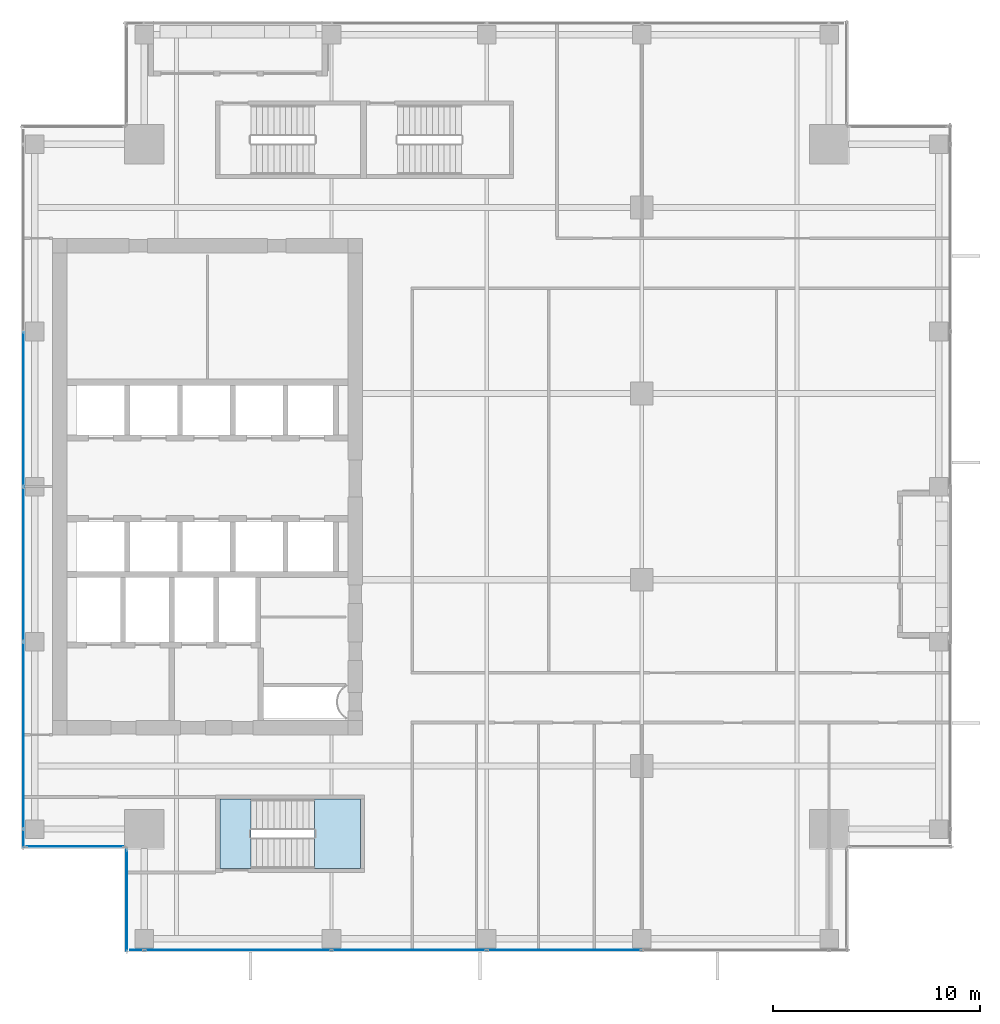
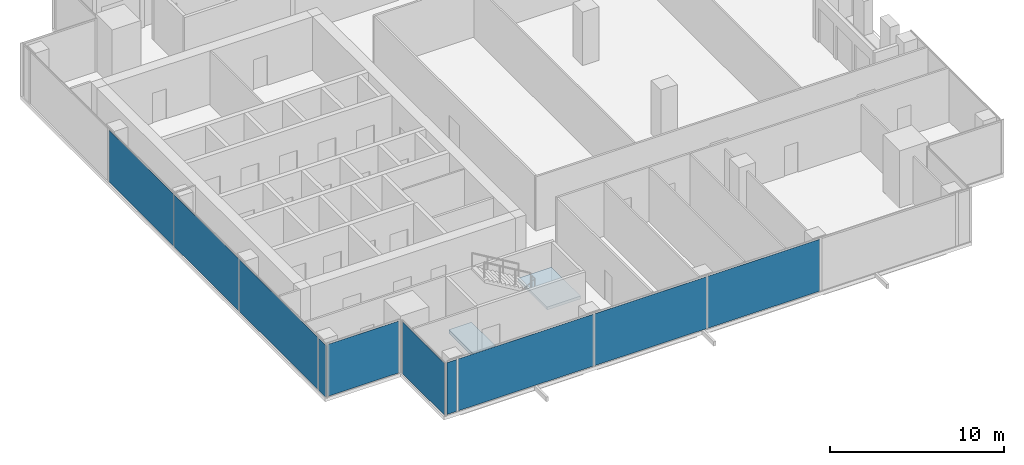
# One storey, part 26 of 36: 10 plates, 2 slabs, 5 elements without a shape of their own.
"""IFC4 building model written with IfcOpenShell, lengths in metres."""

from ifc_helpers import new_model, si_unit, direction, frame, origin, origin_2d, place, context, subcontext, project, spatial, polyline, rectangle, outline, extrude, source, transform, mapped, material, layer, layer_set, type_object, element, aggregate, save


model = new_model("IFC4")

# Units and contexts
model_context = context("Model", 3, precision=1e-05, world=origin(), true_north=direction((0.0, 1.0)))
body_context = subcontext(model_context, "Body", "Model", "MODEL_VIEW")
ifc_project = project(units=[si_unit("LENGTHUNIT", "METRE"), si_unit("AREAUNIT", "SQUARE_METRE"), si_unit("VOLUMEUNIT", "CUBIC_METRE"), si_unit("PLANEANGLEUNIT", "RADIAN"), si_unit("MASSUNIT", "GRAM", prefix="KILO")], contexts=[model_context])

# Site, building, storey
site_placement = place(None, origin())
site = spatial("IfcSite", under=ifc_project, at=site_placement, CompositionType="ELEMENT")
building_placement = place(site_placement, origin())
building = spatial("IfcBuilding", under=site, at=building_placement, Name="Khomas Fold Tower", CompositionType="ELEMENT")
storey_placement = place(building_placement, frame((0.0, 0.0, 230.199951171875)))
storey = spatial("IfcBuildingStorey", under=building, at=storey_placement, Name="L51", CompositionType="ELEMENT", Elevation=230.199951171875)

# Curtain wall, plates
ifc_material_1 = material(Name="Aluminium framed double glazing", Category="aluminium")
curtain_wall_type = type_object("IfcCurtainWallType", Name="SK-Unitised clear-glass wall, office floors CW2", PredefinedType="NOTDEFINED", material=ifc_material_1)
curtain_wall_1_placement = place(storey_placement, origin())
curtain_wall_1 = element("IfcCurtainWall", 1, at=curtain_wall_1_placement, inside=storey, type_object=curtain_wall_type, Name="CW2 run L51 00-0", PredefinedType="NOTDEFINED")
ifc_material_2 = material(Name="Clear double glazed unit")
ifc_layer_1 = layer(ifc_material_2, 0.030029296875)
ifc_layer_set_1 = layer_set([ifc_layer_1], Name="Clear double glazed unit")
plate_type = type_object("IfcPlateType", Name="SK-Unitised clear-glass wall, office floors glass panel CW2-P", PredefinedType="CURTAIN_PANEL", material=ifc_layer_set_1)
shared_shape_1 = source(origin(), body_context, "Body", "SweptSolid", [
    extrude(rectangle(XDim=0.659912109375, YDim=0.030029296875, at=origin_2d()), origin(), (0.0, 0.0, 1.0), 3.639892578125),
])
plate_1_placement = place(storey_placement, frame((10.090087890625, 4.60009765625, 0.0), z_axis=(0.0, 0.0, 1.0), x_axis=(1.0, 0.0, 0.0)))
plate_1 = element("IfcPlate", 2, at=plate_1_placement, type_object=plate_type, Name="CW2 glass panel 1", PredefinedType="CURTAIN_PANEL", context=body_context, shape_type="MappedRepresentation", body=[
    mapped(shared_shape_1, transform((0.0, 0.0, 0.0))),
])
shared_shape_2 = source(origin(), body_context, "Body", "SweptSolid", [
    extrude(rectangle(XDim=7.43994140625, YDim=0.030029296875, at=origin_2d()), origin(), (0.0, 0.0, 1.0), 3.639892578125),
])
plate_2_placement = place(storey_placement, frame((23.25, 4.60009765625, 0.0), z_axis=(0.0, 0.0, 1.0), x_axis=(1.0, 0.0, 0.0)))
plate_2 = element("IfcPlate", 3, at=plate_2_placement, type_object=plate_type, Name="CW2 glass panel 3", PredefinedType="CURTAIN_PANEL", context=body_context, shape_type="MappedRepresentation", body=[
    mapped(shared_shape_2, transform((0.0, 0.0, 0.0))),
])
plate_3_placement = place(storey_placement, frame((30.75, 4.60009765625, 0.0), z_axis=(0.0, 0.0, 1.0), x_axis=(1.0, 0.0, 0.0)))
plate_3 = element("IfcPlate", 4, at=plate_3_placement, type_object=plate_type, Name="CW2 glass panel 4", PredefinedType="CURTAIN_PANEL", context=body_context, shape_type="MappedRepresentation", body=[
    mapped(shared_shape_2, transform((0.0, 0.0, 0.0))),
])

curtain_wall_2_placement = place(storey_placement, origin())
curtain_wall_2 = element("IfcCurtainWall", 5, at=curtain_wall_2_placement, inside=storey, type_object=curtain_wall_type, Name="CW2 run L51 09-0", PredefinedType="NOTDEFINED")
plate_4_placement = place(storey_placement, frame((4.60009765625, 30.75, 0.0), z_axis=(0.0, 0.0, 1.0), x_axis=(0.0, -1.0, 0.0)))
plate_4 = element("IfcPlate", 6, at=plate_4_placement, type_object=plate_type, Name="CW2 glass panel 3", PredefinedType="CURTAIN_PANEL", context=body_context, shape_type="MappedRepresentation", body=[
    mapped(shared_shape_2, transform((0.0, 0.0, 0.0))),
])
plate_5_placement = place(storey_placement, frame((4.60009765625, 23.25, 0.0), z_axis=(0.0, 0.0, 1.0), x_axis=(0.0, -1.0, 0.0)))
plate_5 = element("IfcPlate", 7, at=plate_5_placement, type_object=plate_type, Name="CW2 glass panel 4", PredefinedType="CURTAIN_PANEL", context=body_context, shape_type="MappedRepresentation", body=[
    mapped(shared_shape_2, transform((0.0, 0.0, 0.0))),
])
shared_shape_3 = source(origin(), body_context, "Body", "SweptSolid", [
    extrude(rectangle(XDim=0.860107421875, YDim=0.030029296875, at=origin_2d()), origin(), (0.0, 0.0, 1.0), 3.639892578125),
])
plate_6_placement = place(storey_placement, frame((4.60009765625, 9.989990234375, 0.0), z_axis=(0.0, 0.0, 1.0), x_axis=(0.0, -1.0, 0.0)))
plate_6 = element("IfcPlate", 8, at=plate_6_placement, type_object=plate_type, Name="CW2 glass panel 6", PredefinedType="CURTAIN_PANEL", context=body_context, shape_type="MappedRepresentation", body=[
    mapped(shared_shape_3, transform((0.0, 0.0, 0.0))),
])

# Plate
shared_shape_4 = source(origin(), body_context, "Body", "SweptSolid", [
    extrude(rectangle(XDim=8.989990234375, YDim=0.030029296875, at=origin_2d()), origin(), (0.0, 0.0, 1.0), 3.639892578125),
])
plate_7_placement = place(storey_placement, frame((14.97509765625, 4.60009765625, 0.0), z_axis=(0.0, 0.0, 1.0), x_axis=(1.0, 0.0, 0.0)))
plate_7 = element("IfcPlate", 9, at=plate_7_placement, type_object=plate_type, Name="CW2 glass panel 2", PredefinedType="CURTAIN_PANEL", context=body_context, shape_type="MappedRepresentation", body=[
    mapped(shared_shape_4, transform((0.0, 0.0, 0.0))),
])

aggregate(curtain_wall_1, [plate_1, plate_7, plate_2, plate_3])

plate_8_placement = place(storey_placement, frame((4.60009765625, 14.97509765625, 0.0), z_axis=(0.0, 0.0, 1.0), x_axis=(0.0, -1.0, 0.0)))
plate_8 = element("IfcPlate", 10, at=plate_8_placement, type_object=plate_type, Name="CW2 glass panel 5", PredefinedType="CURTAIN_PANEL", context=body_context, shape_type="MappedRepresentation", body=[
    mapped(shared_shape_4, transform((0.0, 0.0, 0.0))),
])

aggregate(curtain_wall_2, [plate_4, plate_5, plate_8, plate_6])

# Curtain wall, plate
curtain_wall_3_placement = place(storey_placement, origin())
curtain_wall_3 = element("IfcCurtainWall", 11, at=curtain_wall_3_placement, inside=storey, type_object=curtain_wall_type, Name="CW2 corner return L51 10", PredefinedType="NOTDEFINED")
shared_shape_5 = source(origin(), body_context, "Body", "SweptSolid", [
    extrude(rectangle(XDim=4.679931640625, YDim=0.030029296875, at=origin_2d()), origin(), (0.0, 0.0, 1.0), 3.639892578125),
])
plate_9_placement = place(storey_placement, frame((7.10009765625, 9.60009765625, 0.0), z_axis=(0.0, 0.0, 1.0), x_axis=(1.0, 0.0, 0.0)))
plate_9 = element("IfcPlate", 12, at=plate_9_placement, type_object=plate_type, Name="CW2 glass panel 1", PredefinedType="CURTAIN_PANEL", context=body_context, shape_type="MappedRepresentation", body=[
    mapped(shared_shape_5, transform((0.0, 0.0, 0.0))),
])
aggregate(curtain_wall_3, [plate_9])

curtain_wall_4_placement = place(storey_placement, origin())
curtain_wall_4 = element("IfcCurtainWall", 13, at=curtain_wall_4_placement, inside=storey, type_object=curtain_wall_type, Name="CW2 corner return L51 11", PredefinedType="NOTDEFINED")
shared_shape_6 = source(origin(), body_context, "Body", "SweptSolid", [
    extrude(rectangle(XDim=4.8798828125, YDim=0.030029296875, at=origin_2d()), origin(), (0.0, 0.0, 1.0), 3.639892578125),
])
plate_10_placement = place(storey_placement, frame((9.60009765625, 7.0, 0.0), z_axis=(0.0, 0.0, 1.0), x_axis=(0.0, -1.0, 0.0)))
plate_10 = element("IfcPlate", 14, at=plate_10_placement, type_object=plate_type, Name="CW2 glass panel 1", PredefinedType="CURTAIN_PANEL", context=body_context, shape_type="MappedRepresentation", body=[
    mapped(shared_shape_6, transform((0.0, 0.0, 0.0))),
])
aggregate(curtain_wall_4, [plate_10])

# Stair, slab
ifc_material_3 = material(Name="Concrete C40/50", Category="concrete")
stair_type = type_object("IfcStairType", Name="Stair ST2", PredefinedType="HALF_TURN_STAIR", material=ifc_material_3)
stair_placement = place(storey_placement, origin())
stair = element("IfcStair", 15, at=stair_placement, inside=storey, type_object=stair_type, Name="L51 ST2", PredefinedType="HALF_TURN_STAIR")
ifc_material_4 = material(Name="Concrete C40/50", Category="concrete")
ifc_layer_2 = layer(ifc_material_4, 0.199951171875)
ifc_layer_set_2 = layer_set([ifc_layer_2], Name="Concrete C40/50")
slab_type_1 = type_object("IfcSlabType", Name="Stair landing 200", PredefinedType="LANDING", material=ifc_layer_set_2)
shared_shape_7 = source(origin(), body_context, "Body", "SweptSolid", [
    extrude(outline(polyline([(18.679931640625, 8.550048828125), (20.89990234375, 8.550048828125), (20.89990234375, 11.89990234375), (18.679931640625, 11.89990234375), (18.679931640625, 8.550048828125)])), origin(), (0.0, 0.0, 1.0), 0.199951171875),
])
slab_1_placement = place(storey_placement, frame((0.0, 0.0, 1.800048828125)))
slab_1 = element("IfcSlab", 16, at=slab_1_placement, type_object=slab_type_1, Name="ST2 landing 1", PredefinedType="LANDING", context=body_context, shape_type="MappedRepresentation", body=[
    mapped(shared_shape_7, transform((0.0, 0.0, 0.0))),
])
aggregate(stair, [slab_1])

# Slab
ifc_material_5 = material(Name="Concrete C40/50", Category="concrete")
ifc_layer_3 = layer(ifc_material_5, 0.25)
ifc_layer_set_3 = layer_set([ifc_layer_3], Name="Concrete C40/50")
slab_type_2 = type_object("IfcSlabType", Name="Stair floor landing 250", PredefinedType="LANDING", material=ifc_layer_set_3)
shared_shape_8 = source(origin(), body_context, "Body", "SweptSolid", [
    extrude(outline(polyline([(15.60009765625, 8.550048828125), (14.10009765625, 8.550048828125), (14.10009765625, 11.89990234375), (15.60009765625, 11.89990234375), (15.60009765625, 8.550048828125)])), origin(), (0.0, 0.0, 1.0), 0.25),
])
slab_2_placement = place(storey_placement, frame((0.0, 0.0, -0.25)))
element("IfcSlab", 17, at=slab_2_placement, inside=storey, type_object=slab_type_2, Name="ST2 floor landing", PredefinedType="LANDING", context=body_context, shape_type="MappedRepresentation", body=[
    mapped(shared_shape_8, transform((0.0, 0.0, 0.0))),
])

save(model, "model.ifc")
